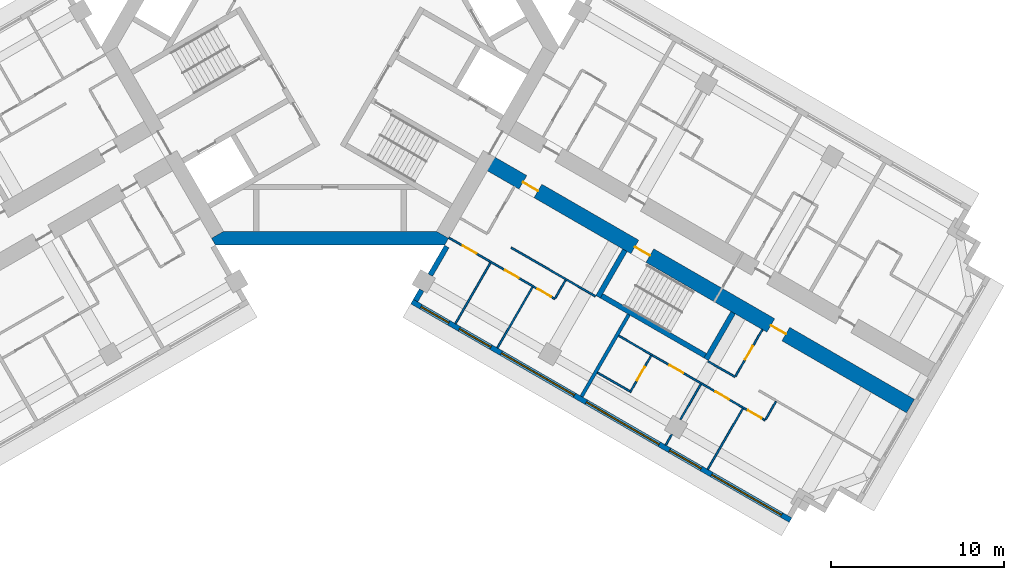
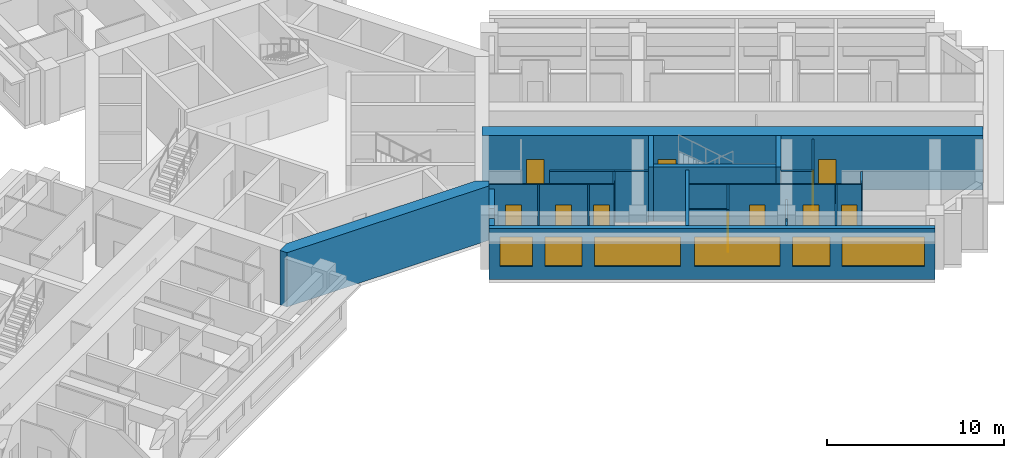
# One storey, part 5 of 12: 23 walls, 11 doors, 6 windows, 17 openings.
"""IFC4 building model written with IfcOpenShell, lengths in metres."""

from ifc_helpers import new_model, si_unit, direction, frame, frame_2d, origin, place, context, subcontext, project, spatial, polyline, rectangle, outline, extrude, material, layer, layer_set, type_object, element, fill, save


model = new_model("IFC4")

# Units and contexts
model_context = context("Model", 3, precision=1e-05, world=origin(), true_north=direction((0.0, 1.0)))
body_context = subcontext(model_context, "Body", "Model", "MODEL_VIEW")
ifc_project = project(units=[si_unit("LENGTHUNIT", "METRE"), si_unit("AREAUNIT", "SQUARE_METRE"), si_unit("VOLUMEUNIT", "CUBIC_METRE"), si_unit("PLANEANGLEUNIT", "RADIAN"), si_unit("MASSUNIT", "GRAM", prefix="KILO")], contexts=[model_context])

# Site, building, storey
site_placement = place(None, origin())
site = spatial("IfcSite", under=ifc_project, at=site_placement, CompositionType="ELEMENT")
building_placement = place(site_placement, origin())
building = spatial("IfcBuilding", under=site, at=building_placement, Name="Impinga Residences", CompositionType="ELEMENT")
storey_placement = place(building_placement, frame((0.0, 0.0, 162.25)))
storey = spatial("IfcBuildingStorey", under=building, at=storey_placement, Name="L40", CompositionType="ELEMENT", Elevation=162.25)

# Wall, openings, doors
ifc_material_1 = material(Name="Concrete C60/75", Category="concrete")
ifc_layer_1 = layer(ifc_material_1, 0.89990234375)
ifc_layer_set_1 = layer_set([ifc_layer_1], Name="Concrete C60/75")
wall_type_1 = type_object("IfcWallType", Name="BW2 corridor buttress wall, L24 to L44 900", PredefinedType="SHEAR", material=ifc_layer_set_1)
wall_1_placement = place(storey_placement, frame((8.95361328125, -6.554931640625, 0.0), z_axis=(0.0, 0.0, 1.0), x_axis=(0.866023392092, -0.500003484338, 0.0)))
wall_1 = element("IfcWall", 1, at=wall_1_placement, inside=storey, type_object=wall_type_1, Name="Corridor wall BW2 ED L40", PredefinedType="SHEAR", context=body_context, shape_type="SweptSolid", body=[
    extrude(rectangle(XDim=28.300048828125, YDim=0.89990234375, at=frame_2d((14.14990234375, 0.0))), origin(), (0.0, 0.0, 1.0), 3.75),
])
opening_1_placement = place(wall_1_placement, frame((9.949951171875, 0.0, 0.0)))
opening_1 = element("IfcOpeningElement", 2, at=opening_1_placement, cuts=wall_1, Name="Opening D5", PredefinedType="OPENING", context=body_context, shape_type="SweptSolid", body=[
    extrude(rectangle(XDim=1.0, YDim=2.10009765625, at=frame_2d((0.5, 1.050048828125))), frame((0.0, 0.4599609375, 0.0), z_axis=(0.0, -1.0, 0.0), x_axis=(1.0, 0.0, 0.0)), (0.0, 0.0, 1.0), 0.919921875),
])
opening_2_placement = place(wall_1_placement, frame((2.5, 0.0, 0.0)))
opening_2 = element("IfcOpeningElement", 3, at=opening_2_placement, cuts=wall_1, Name="Opening D1", PredefinedType="OPENING", context=body_context, shape_type="SweptSolid", body=[
    extrude(rectangle(XDim=1.0, YDim=2.10009765625, at=frame_2d((0.5, 1.050048828125))), frame((0.0, 0.4599609375, 0.0), z_axis=(0.0, -1.0, 0.0), x_axis=(1.0, 0.0, 0.0)), (0.0, 0.0, 1.0), 0.919921875),
])
opening_3_placement = place(wall_1_placement, frame((19.0, 0.0, 0.0)))
opening_3 = element("IfcOpeningElement", 4, at=opening_3_placement, cuts=wall_1, Name="Opening D1", PredefinedType="OPENING", context=body_context, shape_type="SweptSolid", body=[
    extrude(rectangle(XDim=1.0, YDim=2.10009765625, at=frame_2d((0.5, 1.050048828125))), frame((0.0, 0.4599609375, 0.0), z_axis=(0.0, -1.0, 0.0), x_axis=(1.0, 0.0, 0.0)), (0.0, 0.0, 1.0), 0.919921875),
])
ifc_material_2 = material(Name="Timber door set", Category="wood")
door_type_1 = type_object("IfcDoorType", Name="D1 apartment entrance door 1000x2100", OperationType="SINGLE_SWING_LEFT", PredefinedType="DOOR", material=ifc_material_2)
door_1_placement = place(opening_2_placement, origin())
door_1 = element("IfcDoor", 5, at=door_1_placement, inside=storey, type_object=door_type_1, Name="Apartment L40-EF1 entrance", OperationType="SINGLE_SWING_LEFT", OverallHeight=2.10009765625, OverallWidth=1.0, PredefinedType="DOOR", context=body_context, shape_type="SweptSolid", body=[
    extrude(rectangle(XDim=1.0, YDim=2.10009765625, at=frame_2d((0.5, 1.050048828125))), frame((0.0, 0.02490234375, 0.0), z_axis=(0.0, -1.0, 0.0), x_axis=(1.0, 0.0, 0.0)), (0.0, 0.0, 1.0), 0.050048828125),
])
fill(opening_2, door_1)
door_2_placement = place(opening_3_placement, origin())
door_2 = element("IfcDoor", 6, at=door_2_placement, inside=storey, type_object=door_type_1, Name="Apartment L40-EF2 entrance", OperationType="SINGLE_SWING_RIGHT", OverallHeight=2.10009765625, OverallWidth=1.0, PredefinedType="DOOR", context=body_context, shape_type="SweptSolid", body=[
    extrude(rectangle(XDim=1.0, YDim=2.10009765625, at=frame_2d((0.5, 1.050048828125))), frame((0.0, 0.02490234375, 0.0), z_axis=(0.0, -1.0, 0.0), x_axis=(1.0, 0.0, 0.0)), (0.0, 0.0, 1.0), 0.050048828125),
])
fill(opening_3, door_2)
door_type_2 = type_object("IfcDoorType", Name="D5 stair door 1000x2100", OperationType="SINGLE_SWING_LEFT", PredefinedType="DOOR", material=ifc_material_2)
door_3_placement = place(opening_1_placement, origin())
door_3 = element("IfcDoor", 7, at=door_3_placement, inside=storey, type_object=door_type_2, Name="Wing stair door E", OperationType="SINGLE_SWING_LEFT", OverallHeight=2.10009765625, OverallWidth=1.0, PredefinedType="DOOR", context=body_context, shape_type="SweptSolid", body=[
    extrude(rectangle(XDim=1.0, YDim=2.10009765625, at=frame_2d((0.5, 1.050048828125))), frame((0.0, 0.02490234375, 0.0), z_axis=(0.0, -1.0, 0.0), x_axis=(1.0, 0.0, 0.0)), (0.0, 0.0, 1.0), 0.050048828125),
])
fill(opening_1, door_3)

# Wall, openings, windows
ifc_material_3 = material(Name="Terracotta rainscreen on blockwork", Category="masonry")
ifc_layer_2 = layer(ifc_material_3, 0.300048828125)
ifc_layer_set_2 = layer_set([ifc_layer_2], Name="EW1 external wall, terracotta rainscreen on blockwork 300")
wall_type_2 = type_object("IfcWallType", Name="EW1 external wall, terracotta rainscreen on blockwork 300", PredefinedType="SOLIDWALL", material=ifc_layer_set_2)
wall_2_placement = place(storey_placement, frame((26.548828125, -27.279052734375, 0.0), z_axis=(0.0, 0.0, 1.0), x_axis=(-0.866026832479, 0.499997525421, 0.0)))
wall_2 = element("IfcWall", 8, at=wall_2_placement, inside=storey, type_object=wall_type_2, Name="External wall EW1 L40", PredefinedType="SOLIDWALL", context=body_context, shape_type="SweptSolid", body=[
    extrude(rectangle(XDim=25.199951171875, YDim=0.300048828125, at=frame_2d((12.60009765625, 0.0))), origin(), (0.0, 0.0, 1.0), 3.530029296875),
])
opening_4_placement = place(wall_2_placement, frame((0.60009765625, 0.0, 0.89990234375)))
opening_4 = element("IfcOpeningElement", 9, at=opening_4_placement, cuts=wall_2, Name="Opening W10", PredefinedType="OPENING", context=body_context, shape_type="SweptSolid", body=[
    extrude(rectangle(XDim=4.64990234375, YDim=2.050048828125, at=frame_2d((2.324951171875, 1.02490234375))), frame((0.0, 0.159912109375, 0.0), z_axis=(0.0, -1.0, 0.0), x_axis=(1.0, 0.0, 0.0)), (0.0, 0.0, 1.0), 0.320068359375),
])
opening_5_placement = place(wall_2_placement, frame((5.949951171875, 0.0, 0.89990234375)))
opening_5 = element("IfcOpeningElement", 10, at=opening_5_placement, cuts=wall_2, Name="Opening W9", PredefinedType="OPENING", context=body_context, shape_type="SweptSolid", body=[
    extrude(rectangle(XDim=2.10009765625, YDim=2.050048828125, at=frame_2d((1.050048828125, 1.02490234375))), frame((0.0, 0.159912109375, 0.0), z_axis=(0.0, -1.0, 0.0), x_axis=(1.0, 0.0, 0.0)), (0.0, 0.0, 1.0), 0.320068359375),
])
opening_6_placement = place(wall_2_placement, frame((8.75, 0.0, 0.89990234375)))
opening_6 = element("IfcOpeningElement", 11, at=opening_6_placement, cuts=wall_2, Name="Opening W6", PredefinedType="OPENING", context=body_context, shape_type="SweptSolid", body=[
    extrude(rectangle(XDim=4.85009765625, YDim=2.050048828125, at=frame_2d((2.425048828125, 1.02490234375))), frame((0.0, 0.159912109375, 0.0), z_axis=(0.0, -1.0, 0.0), x_axis=(1.0, 0.0, 0.0)), (0.0, 0.0, 1.0), 0.320068359375),
])
opening_7_placement = place(wall_2_placement, frame((14.39990234375, 0.0, 0.89990234375)))
opening_7 = element("IfcOpeningElement", 12, at=opening_7_placement, cuts=wall_2, Name="Opening W6", PredefinedType="OPENING", context=body_context, shape_type="SweptSolid", body=[
    extrude(rectangle(XDim=4.85009765625, YDim=2.050048828125, at=frame_2d((2.425048828125, 1.02490234375))), frame((0.0, 0.159912109375, 0.0), z_axis=(0.0, -1.0, 0.0), x_axis=(1.0, 0.0, 0.0)), (0.0, 0.0, 1.0), 0.320068359375),
])
opening_8_placement = place(wall_2_placement, frame((19.949951171875, 0.0, 0.89990234375)))
opening_8 = element("IfcOpeningElement", 13, at=opening_8_placement, cuts=wall_2, Name="Opening W9", PredefinedType="OPENING", context=body_context, shape_type="SweptSolid", body=[
    extrude(rectangle(XDim=2.10009765625, YDim=2.050048828125, at=frame_2d((1.050048828125, 1.02490234375))), frame((0.0, 0.159912109375, 0.0), z_axis=(0.0, -1.0, 0.0), x_axis=(1.0, 0.0, 0.0)), (0.0, 0.0, 1.0), 0.320068359375),
])
opening_9_placement = place(wall_2_placement, frame((22.75, 0.0, 0.89990234375)))
opening_9 = element("IfcOpeningElement", 14, at=opening_9_placement, cuts=wall_2, Name="Opening W15", PredefinedType="OPENING", context=body_context, shape_type="SweptSolid", body=[
    extrude(rectangle(XDim=1.85009765625, YDim=2.050048828125, at=frame_2d((0.925048828125, 1.02490234375))), frame((0.0, 0.159912109375, 0.0), z_axis=(0.0, -1.0, 0.0), x_axis=(1.0, 0.0, 0.0)), (0.0, 0.0, 1.0), 0.320068359375),
])
ifc_material_4 = material(Name="Aluminium window, clear double glazing", Category="aluminium")
window_type_1 = type_object("IfcWindowType", Name="W10 ribbon window 4650x2050", PartitioningType="SINGLE_PANEL", PredefinedType="WINDOW", material=ifc_material_4)
window_1_placement = place(opening_4_placement, origin())
window_1 = element("IfcWindow", 15, at=window_1_placement, inside=storey, type_object=window_type_1, Name="Window L40", OverallHeight=2.050048828125, OverallWidth=4.64990234375, PartitioningType="SINGLE_PANEL", PredefinedType="WINDOW", context=body_context, shape_type="SweptSolid", body=[
    extrude(rectangle(XDim=4.64990234375, YDim=2.050048828125, at=frame_2d((2.324951171875, 1.02490234375))), frame((0.0, 0.030029296875, 0.0), z_axis=(0.0, -1.0, 0.0), x_axis=(1.0, 0.0, 0.0)), (0.0, 0.0, 1.0), 0.06005859375),
])
fill(opening_4, window_1)
window_type_2 = type_object("IfcWindowType", Name="W15 ribbon window 1850x2050", PartitioningType="SINGLE_PANEL", PredefinedType="WINDOW", material=ifc_material_4)
window_2_placement = place(opening_9_placement, origin())
window_2 = element("IfcWindow", 16, at=window_2_placement, inside=storey, type_object=window_type_2, Name="Window L40", OverallHeight=2.050048828125, OverallWidth=1.85009765625, PartitioningType="SINGLE_PANEL", PredefinedType="WINDOW", context=body_context, shape_type="SweptSolid", body=[
    extrude(rectangle(XDim=1.85009765625, YDim=2.050048828125, at=frame_2d((0.925048828125, 1.02490234375))), frame((0.0, 0.030029296875, 0.0), z_axis=(0.0, -1.0, 0.0), x_axis=(1.0, 0.0, 0.0)), (0.0, 0.0, 1.0), 0.06005859375),
])
fill(opening_9, window_2)
window_type_3 = type_object("IfcWindowType", Name="W6 ribbon window 4850x2050", PartitioningType="SINGLE_PANEL", PredefinedType="WINDOW", material=ifc_material_4)
window_3_placement = place(opening_6_placement, origin())
window_3 = element("IfcWindow", 17, at=window_3_placement, inside=storey, type_object=window_type_3, Name="Window L40", OverallHeight=2.050048828125, OverallWidth=4.85009765625, PartitioningType="SINGLE_PANEL", PredefinedType="WINDOW", context=body_context, shape_type="SweptSolid", body=[
    extrude(rectangle(XDim=4.85009765625, YDim=2.050048828125, at=frame_2d((2.425048828125, 1.02490234375))), frame((0.0, 0.030029296875, 0.0), z_axis=(0.0, -1.0, 0.0), x_axis=(1.0, 0.0, 0.0)), (0.0, 0.0, 1.0), 0.06005859375),
])
fill(opening_6, window_3)
window_4_placement = place(opening_7_placement, origin())
window_4 = element("IfcWindow", 18, at=window_4_placement, inside=storey, type_object=window_type_3, Name="Window L40", OverallHeight=2.050048828125, OverallWidth=4.85009765625, PartitioningType="SINGLE_PANEL", PredefinedType="WINDOW", context=body_context, shape_type="SweptSolid", body=[
    extrude(rectangle(XDim=4.85009765625, YDim=2.050048828125, at=frame_2d((2.425048828125, 1.02490234375))), frame((0.0, 0.030029296875, 0.0), z_axis=(0.0, -1.0, 0.0), x_axis=(1.0, 0.0, 0.0)), (0.0, 0.0, 1.0), 0.06005859375),
])
fill(opening_7, window_4)
window_type_4 = type_object("IfcWindowType", Name="W9 ribbon window 2100x2050", PartitioningType="SINGLE_PANEL", PredefinedType="WINDOW", material=ifc_material_4)
window_5_placement = place(opening_5_placement, origin())
window_5 = element("IfcWindow", 19, at=window_5_placement, inside=storey, type_object=window_type_4, Name="Window L40", OverallHeight=2.050048828125, OverallWidth=2.10009765625, PartitioningType="SINGLE_PANEL", PredefinedType="WINDOW", context=body_context, shape_type="SweptSolid", body=[
    extrude(rectangle(XDim=2.10009765625, YDim=2.050048828125, at=frame_2d((1.050048828125, 1.02490234375))), frame((0.0, 0.030029296875, 0.0), z_axis=(0.0, -1.0, 0.0), x_axis=(1.0, 0.0, 0.0)), (0.0, 0.0, 1.0), 0.06005859375),
])
fill(opening_5, window_5)
window_6_placement = place(opening_8_placement, origin())
window_6 = element("IfcWindow", 20, at=window_6_placement, inside=storey, type_object=window_type_4, Name="Window L40", OverallHeight=2.050048828125, OverallWidth=2.10009765625, PartitioningType="SINGLE_PANEL", PredefinedType="WINDOW", context=body_context, shape_type="SweptSolid", body=[
    extrude(rectangle(XDim=2.10009765625, YDim=2.050048828125, at=frame_2d((1.050048828125, 1.02490234375))), frame((0.0, 0.030029296875, 0.0), z_axis=(0.0, -1.0, 0.0), x_axis=(1.0, 0.0, 0.0)), (0.0, 0.0, 1.0), 0.06005859375),
])
fill(opening_8, window_6)

# Walls
wall_3_placement = place(storey_placement, frame((4.929931640625, -14.624267578125, 0.0), z_axis=(0.0, 0.0, 1.0), x_axis=(0.499853302173, 0.866110083249, 0.0)))
element("IfcWall", 21, at=wall_3_placement, inside=storey, type_object=wall_type_2, Name="External wall EW1 L40", PredefinedType="SOLIDWALL", context=body_context, shape_type="SweptSolid", body=[
    extrude(rectangle(XDim=0.699951171875, YDim=0.300048828125, at=frame_2d((0.35009765625, 0.0))), origin(), (0.0, 0.0, 1.0), 3.530029296875),
])
wall_4_placement = place(storey_placement, frame((5.77978515625, -13.152099609375, 0.0), z_axis=(0.0, 0.0, 1.0), x_axis=(0.500063520245, 0.865988727248, 0.0)))
element("IfcWall", 22, at=wall_4_placement, inside=storey, type_object=wall_type_2, Name="External wall EW1 L40", PredefinedType="SOLIDWALL", context=body_context, shape_type="SweptSolid", body=[
    extrude(rectangle(XDim=1.900146484375, YDim=0.300048828125, at=frame_2d((0.9501953125, 0.0))), origin(), (0.0, 0.0, 1.0), 3.530029296875),
])
ifc_material_5 = material(Name="Gypsum board on steel studs", Category="steel")
ifc_layer_3 = layer(ifc_material_5, 0.10009765625)
ifc_layer_set_3 = layer_set([ifc_layer_3], Name="Gypsum board on steel studs")
wall_type_3 = type_object("IfcWallType", Name="IP1 partition 100", PredefinedType="PARTITIONING", material=ifc_layer_set_3)
wall_5_placement = place(storey_placement, frame((10.444580078125, -11.57275390625, 0.0), z_axis=(0.0, 0.0, 1.0), x_axis=(0.866015695474, -0.500016814911, 0.0)))
element("IfcWall", 23, at=wall_5_placement, inside=storey, type_object=wall_type_3, Name="Partition L40-EF1:DIV1", PredefinedType="PARTITIONING", context=body_context, shape_type="SweptSolid", body=[
    extrude(rectangle(XDim=5.599853515625, YDim=0.10009765625, at=frame_2d((2.7998046875, 0.0))), origin(), (0.0, 0.0, 1.0), 3.530029296875),
])

# Wall, openings, doors
wall_6_placement = place(storey_placement, frame((6.85009765625, -10.99853515625, 0.0), z_axis=(0.0, 0.0, 1.0), x_axis=(0.866031034943, -0.499990246421, 0.0)))
wall_6 = element("IfcWall", 24, at=wall_6_placement, inside=storey, type_object=wall_type_3, Name="Partition L40-EF1:STRIP", PredefinedType="PARTITIONING", context=body_context, shape_type="SweptSolid", body=[
    extrude(rectangle(XDim=7.050048828125, YDim=0.10009765625, at=frame_2d((3.52490234375, 0.0))), origin(), (0.0, 0.0, 1.0), 3.530029296875),
])
opening_10_placement = place(wall_6_placement, frame((0.925048828125, 0.0, 0.0)))
opening_10 = element("IfcOpeningElement", 25, at=opening_10_placement, cuts=wall_6, Name="Opening D2", PredefinedType="OPENING", context=body_context, shape_type="SweptSolid", body=[
    extrude(rectangle(XDim=0.89990234375, YDim=2.10009765625, at=frame_2d((0.449951171875, 1.050048828125))), frame((0.0, 0.06005859375, 0.0), z_axis=(0.0, -1.0, 0.0), x_axis=(1.0, 0.0, 0.0)), (0.0, 0.0, 1.0), 0.1201171875),
])
opening_11_placement = place(wall_6_placement, frame((3.75, 0.0, 0.0)))
opening_11 = element("IfcOpeningElement", 26, at=opening_11_placement, cuts=wall_6, Name="Opening D2", PredefinedType="OPENING", context=body_context, shape_type="SweptSolid", body=[
    extrude(rectangle(XDim=0.89990234375, YDim=2.10009765625, at=frame_2d((0.449951171875, 1.050048828125))), frame((0.0, 0.06005859375, 0.0), z_axis=(0.0, -1.0, 0.0), x_axis=(1.0, 0.0, 0.0)), (0.0, 0.0, 1.0), 0.1201171875),
])
opening_12_placement = place(wall_6_placement, frame((5.89990234375, 0.0, 0.0)))
opening_12 = element("IfcOpeningElement", 27, at=opening_12_placement, cuts=wall_6, Name="Opening D2", PredefinedType="OPENING", context=body_context, shape_type="SweptSolid", body=[
    extrude(rectangle(XDim=0.89990234375, YDim=2.10009765625, at=frame_2d((0.449951171875, 1.050048828125))), frame((0.0, 0.06005859375, 0.0), z_axis=(0.0, -1.0, 0.0), x_axis=(1.0, 0.0, 0.0)), (0.0, 0.0, 1.0), 0.1201171875),
])
door_type_3 = type_object("IfcDoorType", Name="D2 internal door 900x2100", OperationType="SINGLE_SWING_LEFT", PredefinedType="DOOR", material=ifc_material_2)
door_4_placement = place(opening_10_placement, origin())
door_4 = element("IfcDoor", 28, at=door_4_placement, inside=storey, type_object=door_type_3, Name="Apartment L40-EF1 room door", OperationType="SINGLE_SWING_LEFT", OverallHeight=2.10009765625, OverallWidth=0.89990234375, PredefinedType="DOOR", context=body_context, shape_type="SweptSolid", body=[
    extrude(rectangle(XDim=0.89990234375, YDim=2.10009765625, at=frame_2d((0.449951171875, 1.050048828125))), frame((0.0, 0.02490234375, 0.0), z_axis=(0.0, -1.0, 0.0), x_axis=(1.0, 0.0, 0.0)), (0.0, 0.0, 1.0), 0.050048828125),
])
fill(opening_10, door_4)
door_5_placement = place(opening_11_placement, origin())
door_5 = element("IfcDoor", 29, at=door_5_placement, inside=storey, type_object=door_type_3, Name="Apartment L40-EF1 room door", OperationType="SINGLE_SWING_RIGHT", OverallHeight=2.10009765625, OverallWidth=0.89990234375, PredefinedType="DOOR", context=body_context, shape_type="SweptSolid", body=[
    extrude(rectangle(XDim=0.89990234375, YDim=2.10009765625, at=frame_2d((0.449951171875, 1.050048828125))), frame((0.0, 0.02490234375, 0.0), z_axis=(0.0, -1.0, 0.0), x_axis=(1.0, 0.0, 0.0)), (0.0, 0.0, 1.0), 0.050048828125),
])
fill(opening_11, door_5)
door_6_placement = place(opening_12_placement, origin())
door_6 = element("IfcDoor", 30, at=door_6_placement, inside=storey, type_object=door_type_3, Name="Apartment L40-EF1 room door", OperationType="SINGLE_SWING_RIGHT", OverallHeight=2.10009765625, OverallWidth=0.89990234375, PredefinedType="DOOR", context=body_context, shape_type="SweptSolid", body=[
    extrude(rectangle(XDim=0.89990234375, YDim=2.10009765625, at=frame_2d((0.449951171875, 1.050048828125))), frame((0.0, 0.02490234375, 0.0), z_axis=(0.0, -1.0, 0.0), x_axis=(1.0, 0.0, 0.0)), (0.0, 0.0, 1.0), 0.050048828125),
])
fill(opening_12, door_6)

# Walls
wall_7_placement = place(storey_placement, frame((13.58056640625, -13.44091796875, 0.0), z_axis=(0.0, 0.0, 1.0), x_axis=(-0.500033551112, -0.866006032174, 0.0)))
element("IfcWall", 31, at=wall_7_placement, inside=storey, type_object=wall_type_3, Name="Partition L40-EF1:SE1", PredefinedType="PARTITIONING", context=body_context, shape_type="SweptSolid", body=[
    extrude(rectangle(XDim=1.2001953125, YDim=0.10009765625, at=frame_2d((0.60009765625, 0.0))), origin(), (0.0, 0.0, 1.0), 3.530029296875),
])
wall_8_placement = place(storey_placement, frame((9.249755859375, -12.44189453125, 0.0), z_axis=(0.0, 0.0, 1.0), x_axis=(-0.499990325971, -0.866030989016, 0.0)))
element("IfcWall", 32, at=wall_8_placement, inside=storey, type_object=wall_type_3, Name="Partition L40-EF1:OB1", PredefinedType="PARTITIONING", context=body_context, shape_type="SweptSolid", body=[
    extrude(rectangle(XDim=4.0498046875, YDim=0.10009765625, at=frame_2d((2.02490234375, 0.0))), origin(), (0.0, 0.0, 1.0), 3.530029296875),
])
wall_9_placement = place(storey_placement, frame((11.6748046875, -13.841796875, 0.0), z_axis=(0.0, 0.0, 1.0), x_axis=(-0.500035537042, -0.866004885491, 0.0)))
element("IfcWall", 33, at=wall_9_placement, inside=storey, type_object=wall_type_3, Name="Partition L40-EF1:OB2", PredefinedType="PARTITIONING", context=body_context, shape_type="SweptSolid", body=[
    extrude(rectangle(XDim=4.050048828125, YDim=0.10009765625, at=frame_2d((2.02490234375, 0.0))), origin(), (0.0, 0.0, 1.0), 3.530029296875),
])
wall_10_placement = place(storey_placement, frame((21.789306640625, -18.122802734375, 0.0), z_axis=(0.0, 0.0, 1.0), x_axis=(0.866047807691, -0.499961193289, 0.0)))
element("IfcWall", 34, at=wall_10_placement, inside=storey, type_object=wall_type_3, Name="Partition L40-EF2:DIV0", PredefinedType="PARTITIONING", context=body_context, shape_type="SweptSolid", body=[
    extrude(rectangle(XDim=1.800048828125, YDim=0.10009765625, at=frame_2d((0.89990234375, 0.0))), origin(), (0.0, 0.0, 1.0), 3.530029296875),
])

# Wall, openings, doors
wall_11_placement = place(storey_placement, frame((16.635986328125, -16.6484375, 0.0), z_axis=(0.0, 0.0, 1.0), x_axis=(0.866027967067, -0.499995560238, 0.0)))
wall_11 = element("IfcWall", 35, at=wall_11_placement, inside=storey, type_object=wall_type_3, Name="Partition L40-EF2:STRIP", PredefinedType="PARTITIONING", context=body_context, shape_type="SweptSolid", body=[
    extrude(rectangle(XDim=9.75, YDim=0.10009765625, at=frame_2d((4.875, 0.0))), origin(), (0.0, 0.0, 1.0), 3.530029296875),
])
opening_13_placement = place(wall_11_placement, frame((3.39990234375, 0.0, 0.0)))
opening_13 = element("IfcOpeningElement", 36, at=opening_13_placement, cuts=wall_11, Name="Opening D2", PredefinedType="OPENING", context=body_context, shape_type="SweptSolid", body=[
    extrude(rectangle(XDim=0.89990234375, YDim=2.10009765625, at=frame_2d((0.449951171875, 1.050048828125))), frame((0.0, 0.06005859375, 0.0), z_axis=(0.0, -1.0, 0.0), x_axis=(1.0, 0.0, 0.0)), (0.0, 0.0, 1.0), 0.1201171875),
])
opening_14_placement = place(wall_11_placement, frame((6.449951171875, 0.0, 0.0)))
opening_14 = element("IfcOpeningElement", 37, at=opening_14_placement, cuts=wall_11, Name="Opening D2", PredefinedType="OPENING", context=body_context, shape_type="SweptSolid", body=[
    extrude(rectangle(XDim=0.89990234375, YDim=2.10009765625, at=frame_2d((0.449951171875, 1.050048828125))), frame((0.0, 0.06005859375, 0.0), z_axis=(0.0, -1.0, 0.0), x_axis=(1.0, 0.0, 0.0)), (0.0, 0.0, 1.0), 0.1201171875),
])
opening_15_placement = place(wall_11_placement, frame((8.60009765625, 0.0, 0.0)))
opening_15 = element("IfcOpeningElement", 38, at=opening_15_placement, cuts=wall_11, Name="Opening D2", PredefinedType="OPENING", context=body_context, shape_type="SweptSolid", body=[
    extrude(rectangle(XDim=0.89990234375, YDim=2.10009765625, at=frame_2d((0.449951171875, 1.050048828125))), frame((0.0, 0.06005859375, 0.0), z_axis=(0.0, -1.0, 0.0), x_axis=(1.0, 0.0, 0.0)), (0.0, 0.0, 1.0), 0.1201171875),
])
door_7_placement = place(opening_13_placement, origin())
door_7 = element("IfcDoor", 39, at=door_7_placement, inside=storey, type_object=door_type_3, Name="Apartment L40-EF2 room door", OperationType="SINGLE_SWING_LEFT", OverallHeight=2.10009765625, OverallWidth=0.89990234375, PredefinedType="DOOR", context=body_context, shape_type="SweptSolid", body=[
    extrude(rectangle(XDim=0.89990234375, YDim=2.10009765625, at=frame_2d((0.449951171875, 1.050048828125))), frame((0.0, 0.02490234375, 0.0), z_axis=(0.0, -1.0, 0.0), x_axis=(1.0, 0.0, 0.0)), (0.0, 0.0, 1.0), 0.050048828125),
])
fill(opening_13, door_7)
door_8_placement = place(opening_14_placement, origin())
door_8 = element("IfcDoor", 40, at=door_8_placement, inside=storey, type_object=door_type_3, Name="Apartment L40-EF2 room door", OperationType="SINGLE_SWING_RIGHT", OverallHeight=2.10009765625, OverallWidth=0.89990234375, PredefinedType="DOOR", context=body_context, shape_type="SweptSolid", body=[
    extrude(rectangle(XDim=0.89990234375, YDim=2.10009765625, at=frame_2d((0.449951171875, 1.050048828125))), frame((0.0, 0.02490234375, 0.0), z_axis=(0.0, -1.0, 0.0), x_axis=(1.0, 0.0, 0.0)), (0.0, 0.0, 1.0), 0.050048828125),
])
fill(opening_14, door_8)
door_9_placement = place(opening_15_placement, origin())
door_9 = element("IfcDoor", 41, at=door_9_placement, inside=storey, type_object=door_type_3, Name="Apartment L40-EF2 room door", OperationType="SINGLE_SWING_RIGHT", OverallHeight=2.10009765625, OverallWidth=0.89990234375, PredefinedType="DOOR", context=body_context, shape_type="SweptSolid", body=[
    extrude(rectangle(XDim=0.89990234375, YDim=2.10009765625, at=frame_2d((0.449951171875, 1.050048828125))), frame((0.0, 0.02490234375, 0.0), z_axis=(0.0, -1.0, 0.0), x_axis=(1.0, 0.0, 0.0)), (0.0, 0.0, 1.0), 0.050048828125),
])
fill(opening_15, door_9)

# Wall
wall_12_placement = place(storey_placement, frame((25.704833984375, -20.44091796875, 0.0), z_axis=(0.0, 0.0, 1.0), x_axis=(-0.500033551112, -0.866006032174, 0.0)))
element("IfcWall", 42, at=wall_12_placement, inside=storey, type_object=wall_type_3, Name="Partition L40-EF2:SE1", PredefinedType="PARTITIONING", context=body_context, shape_type="SweptSolid", body=[
    extrude(rectangle(XDim=1.2001953125, YDim=0.10009765625, at=frame_2d((0.60009765625, 0.0))), origin(), (0.0, 0.0, 1.0), 3.530029296875),
])

# Wall, opening, door
wall_13_placement = place(storey_placement, frame((24.92333984375, -16.294677734375, 0.0), z_axis=(0.0, 0.0, 1.0), x_axis=(-0.49999285859, -0.86602952684, 0.0)))
wall_13 = element("IfcWall", 43, at=wall_13_placement, inside=storey, type_object=wall_type_3, Name="Partition L40-EF2:IB1", PredefinedType="PARTITIONING", context=body_context, shape_type="SweptSolid", body=[
    extrude(rectangle(XDim=3.10009765625, YDim=0.10009765625, at=frame_2d((1.550048828125, 0.0))), origin(), (0.0, 0.0, 1.0), 3.530029296875),
])
opening_16_placement = place(wall_13_placement, frame((1.10009765625, 0.0, 0.0)))
opening_16 = element("IfcOpeningElement", 44, at=opening_16_placement, cuts=wall_13, Name="Opening D2", PredefinedType="OPENING", context=body_context, shape_type="SweptSolid", body=[
    extrude(rectangle(XDim=0.89990234375, YDim=2.10009765625, at=frame_2d((0.449951171875, 1.050048828125))), frame((0.0, 0.06005859375, 0.0), z_axis=(0.0, -1.0, 0.0), x_axis=(1.0, 0.0, 0.0)), (0.0, 0.0, 1.0), 0.1201171875),
])
door_10_placement = place(opening_16_placement, origin())
door_10 = element("IfcDoor", 45, at=door_10_placement, inside=storey, type_object=door_type_3, Name="Apartment L40-EF2 bathroom door", OperationType="SINGLE_SWING_LEFT", OverallHeight=2.10009765625, OverallWidth=0.89990234375, PredefinedType="DOOR", context=body_context, shape_type="SweptSolid", body=[
    extrude(rectangle(XDim=0.89990234375, YDim=2.10009765625, at=frame_2d((0.449951171875, 1.050048828125))), frame((0.0, 0.02490234375, 0.0), z_axis=(0.0, -1.0, 0.0), x_axis=(1.0, 0.0, 0.0)), (0.0, 0.0, 1.0), 0.050048828125),
])
fill(opening_16, door_10)

# Walls
wall_14_placement = place(storey_placement, frame((21.374267578125, -19.44189453125, 0.0), z_axis=(0.0, 0.0, 1.0), x_axis=(-0.500016218704, -0.866016039709, 0.0)))
element("IfcWall", 46, at=wall_14_placement, inside=storey, type_object=wall_type_3, Name="Partition L40-EF2:OB1", PredefinedType="PARTITIONING", context=body_context, shape_type="SweptSolid", body=[
    extrude(rectangle(XDim=2.35009765625, YDim=0.10009765625, at=frame_2d((1.175048828125, 0.0))), origin(), (0.0, 0.0, 1.0), 2.47998046875),
])
wall_15_placement = place(storey_placement, frame((19.69921875, -22.343017578125, 0.0), z_axis=(0.0, 0.0, 1.0), x_axis=(-0.500114896893, -0.865959057869, 0.0)))
element("IfcWall", 47, at=wall_15_placement, inside=storey, type_object=wall_type_3, Name="Partition L40-EF2:OB1b", PredefinedType="PARTITIONING", context=body_context, shape_type="SweptSolid", body=[
    extrude(rectangle(XDim=0.699951171875, YDim=0.10009765625, at=frame_2d((0.35009765625, 0.0))), origin(), (0.0, 0.0, 1.0), 3.530029296875),
])
wall_16_placement = place(storey_placement, frame((23.799072265625, -20.841796875, 0.0), z_axis=(0.0, 0.0, 1.0), x_axis=(-0.499990325971, -0.866030989016, 0.0)))
element("IfcWall", 48, at=wall_16_placement, inside=storey, type_object=wall_type_3, Name="Partition L40-EF2:OB2", PredefinedType="PARTITIONING", context=body_context, shape_type="SweptSolid", body=[
    extrude(rectangle(XDim=4.0498046875, YDim=0.10009765625, at=frame_2d((2.02490234375, 0.0))), origin(), (0.0, 0.0, 1.0), 3.530029296875),
])

# Wall, opening, door
wall_17_placement = place(storey_placement, frame((18.516357421875, -17.791748046875, 0.0), z_axis=(0.0, 0.0, 1.0), x_axis=(-0.500018594424, -0.866014668023, 0.0)))
wall_17 = element("IfcWall", 49, at=wall_17_placement, inside=storey, type_object=wall_type_3, Name="Partition L40-EF2:EN1", PredefinedType="PARTITIONING", context=body_context, shape_type="SweptSolid", body=[
    extrude(rectangle(XDim=2.4501953125, YDim=0.10009765625, at=frame_2d((1.22509765625, 0.0))), origin(), (0.0, 0.0, 1.0), 3.530029296875),
])
opening_17_placement = place(wall_17_placement, frame((0.75, 0.0, 0.0)))
opening_17 = element("IfcOpeningElement", 50, at=opening_17_placement, cuts=wall_17, Name="Opening D2", PredefinedType="OPENING", context=body_context, shape_type="SweptSolid", body=[
    extrude(rectangle(XDim=0.89990234375, YDim=2.10009765625, at=frame_2d((0.449951171875, 1.050048828125))), frame((0.0, 0.06005859375, 0.0), z_axis=(0.0, -1.0, 0.0), x_axis=(1.0, 0.0, 0.0)), (0.0, 0.0, 1.0), 0.1201171875),
])
door_11_placement = place(opening_17_placement, origin())
door_11 = element("IfcDoor", 51, at=door_11_placement, inside=storey, type_object=door_type_3, Name="Apartment L40-EF2 en-suite door", OperationType="SINGLE_SWING_LEFT", OverallHeight=2.10009765625, OverallWidth=0.89990234375, PredefinedType="DOOR", context=body_context, shape_type="SweptSolid", body=[
    extrude(rectangle(XDim=0.89990234375, YDim=2.10009765625, at=frame_2d((0.449951171875, 1.050048828125))), frame((0.0, 0.02490234375, 0.0), z_axis=(0.0, -1.0, 0.0), x_axis=(1.0, 0.0, 0.0)), (0.0, 0.0, 1.0), 0.050048828125),
])
fill(opening_17, door_11)

# Walls
wall_18_placement = place(storey_placement, frame((15.4111328125, -18.770263671875, 0.0), z_axis=(0.0, 0.0, 1.0), x_axis=(0.866019166195, -0.500010803666, 0.0)))
element("IfcWall", 52, at=wall_18_placement, inside=storey, type_object=wall_type_3, Name="Partition L40-EF2:EN2", PredefinedType="PARTITIONING", context=body_context, shape_type="SweptSolid", body=[
    extrude(rectangle(XDim=2.14990234375, YDim=0.10009765625, at=frame_2d((1.074951171875, 0.0))), origin(), (0.0, 0.0, 1.0), 3.530029296875),
])
ifc_material_6 = material(Name="Concrete blockwork", Category="masonry")
ifc_layer_4 = layer(ifc_material_6, 0.199951171875)
ifc_layer_set_4 = layer_set([ifc_layer_4], Name="PW1 party wall between apartments 200")
wall_type_4 = type_object("IfcWallType", Name="PW1 party wall between apartments 200", PredefinedType="SOLIDWALL", material=ifc_layer_set_4)
wall_19_placement = place(storey_placement, frame((17.224365234375, -15.429443359375, 0.0), z_axis=(0.0, 0.0, 1.0), x_axis=(-0.499988730927, -0.866031909889, 0.0)))
element("IfcWall", 53, at=wall_19_placement, inside=storey, type_object=wall_type_4, Name="Party wall between apartments L40-EF1:PARTY", PredefinedType="SOLIDWALL", context=body_context, shape_type="SweptSolid", body=[
    extrude(rectangle(XDim=5.449951171875, YDim=0.199951171875, at=frame_2d((2.72509765625, 0.0))), origin(), (0.0, 0.0, 1.0), 3.530029296875),
])
ifc_layer_5 = layer(ifc_material_1, 0.300048828125)
ifc_layer_set_5 = layer_set([ifc_layer_5], Name="Concrete C60/75")
wall_type_5 = type_object("IfcWallType", Name="SE1 wing stair enclosure wall 300", PredefinedType="SOLIDWALL", material=ifc_layer_set_5)
for number, where, z_axis, x_axis, name in (
    (54, (16.9990234375, -11.7197265625, 0.0), (0.0, 0.0, 1.0), (-0.499967891604, -0.866043940782, 0.0), "Stair enclosure wall SE1 E END0 L40"),
    (55, (23.234619140625, -15.31982421875, 0.0), (0.0, 0.0, 1.0), (-0.500026960575, -0.86600983753, 0.0), "Stair enclosure wall SE1 E END1 L40"),
):
    element("IfcWall", number, at=place(storey_placement, frame(where, z_axis=z_axis, x_axis=x_axis)), inside=storey, type_object=wall_type_5, Name=name, PredefinedType="SOLIDWALL", context=body_context, shape_type="SweptSolid", body=[
        extrude(rectangle(XDim=3.099853515625, YDim=0.300048828125, at=frame_2d((1.5498046875, 0.0))), origin(), (0.0, 0.0, 1.0), 3.75),
    ])
wall_20_placement = place(storey_placement, frame((15.654052734375, -14.349365234375, 0.0), z_axis=(0.0, 0.0, 1.0), x_axis=(0.866013532718, -0.500020560727, 0.0)))
element("IfcWall", 56, at=wall_20_placement, inside=storey, type_object=wall_type_5, Name="Stair enclosure wall SE1 E OUT L40", PredefinedType="SOLIDWALL", context=body_context, shape_type="SweptSolid", body=[
    extrude(rectangle(XDim=6.900146484375, YDim=0.300048828125, at=frame_2d((3.4501953125, 0.0))), origin(), (0.0, 0.0, 1.0), 3.75),
])
ifc_layer_6 = layer(ifc_material_1, 0.800048828125)
ifc_layer_set_6 = layer_set([ifc_layer_6], Name="Concrete C60/75")
wall_type_6 = type_object("IfcWallType", Name="SW2 core wall 800", PredefinedType="SHEAR", material=ifc_layer_set_6)
wall_21_placement = place(storey_placement, origin())
element("IfcWall", 57, at=wall_21_placement, inside=storey, type_object=wall_type_6, Name="Core wall SW2 N:EXPOSED L40", PredefinedType="SHEAR", context=body_context, shape_type="SweptSolid", body=[
    extrude(outline(polyline([(-6.60009765625, -11.431640625), (6.60009765625, -11.431640625), (6.8310546875, -11.031494140625), (6.13818359375, -10.631591796875), (-6.13818359375, -10.631591796875), (-6.8310546875, -11.031494140625), (-6.60009765625, -11.431640625)])), origin(), (0.0, 0.0, 1.0), 3.75),
])

save(model, "model.ifc")
